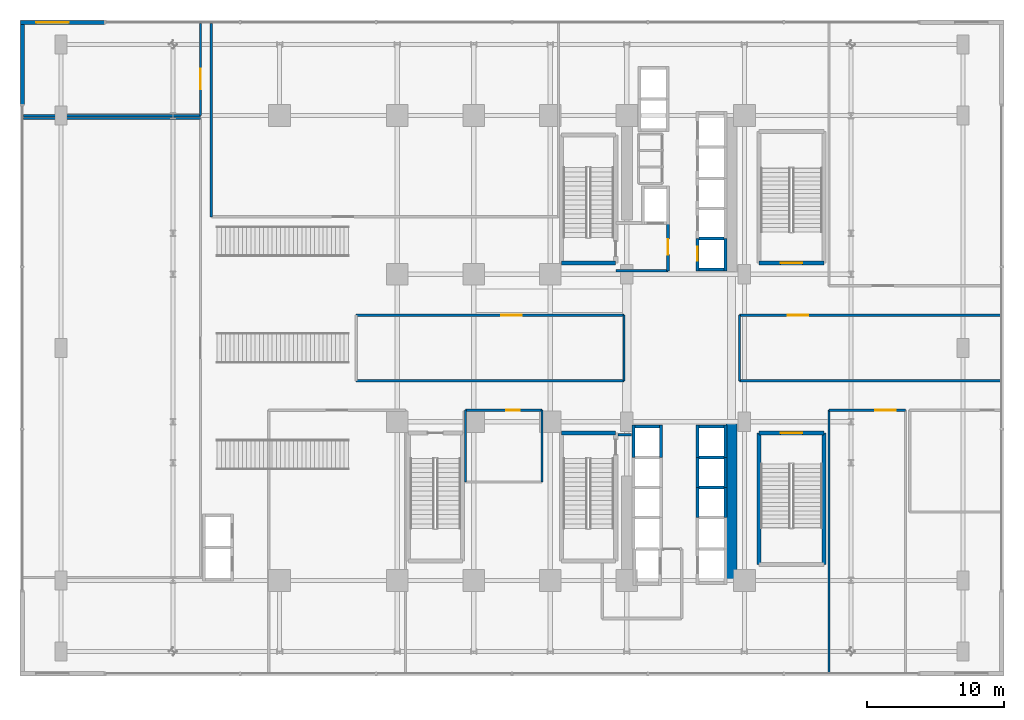
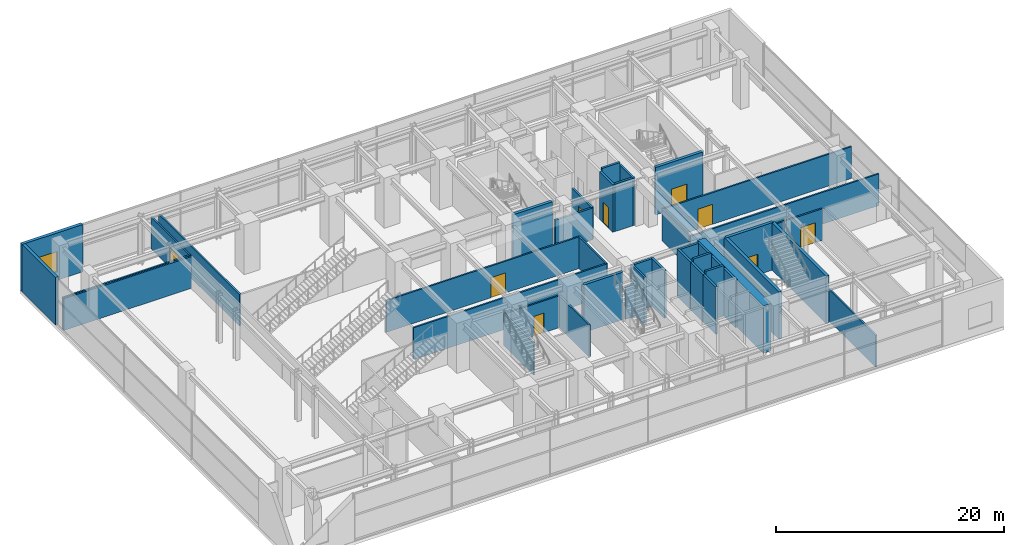
# One storey, part 28 of 34: 43 walls, 9 doors, 1 window, 10 openings.
"""IFC4 building model written with IfcOpenShell, lengths in metres."""

import ifcopenshell
import ifcopenshell.guid

model = None  # the IFC model being written
_history = None  # IfcOwnerHistory: only IFC2X3 demands one
_inside = {}  # id of a spatial element -> (the spatial element, [elements in it])
_under = {}  # id of a project, library or spatial element -> (it, [spatial elements below it])
_declared = {}  # id of a project -> (the project, [libraries it declares])
_typed = {}  # id of a type object -> (the type object, [elements of that type])
_made_of = {}  # id of a material, layer set ... -> (it, [elements and type objects made of it])


def new_model(schema):
    """Start an empty IFC model of exactly this schema.

    Asked for "IFC4X3", IfcOpenShell would pick the latest addendum, in which some entities
    have other attributes; the version numbers below select the first issue.
    IFC2X3 requires an IfcOwnerHistory on every rooted entity: one is made here for all.
    """
    global model, _history
    if schema == "IFC4X3":
        model = ifcopenshell.file(schema_version=(4, 3, 0, 0))
    else:
        model = ifcopenshell.file(schema=schema)
    _inside.clear()
    _under.clear()
    _declared.clear()
    _typed.clear()
    _made_of.clear()
    _history = None
    if model.schema == "IFC2X3":
        org = make("IfcOrganization", Name="unknown")
        user = make(
            "IfcPersonAndOrganization",
            ThePerson=make("IfcPerson", FamilyName="unknown"),
            TheOrganization=org,
        )
        app = make(
            "IfcApplication",
            ApplicationDeveloper=org,
            Version="unknown",
            ApplicationFullName="unknown",
            ApplicationIdentifier="unknown",
        )
        _history = make(
            "IfcOwnerHistory",
            OwningUser=user,
            OwningApplication=app,
            ChangeAction="ADDED",
            CreationDate=0,
        )
    return model


def make(cls, **values):
    """One entity of the class cls with the attributes given. An attribute that is None is left unset."""
    return model.create_entity(
        cls, **{name: value for name, value in values.items() if value is not None}
    )


def rooted(cls, **values):
    """An entity with a GlobalId (a new one), such as an element, a storey or a relation."""
    return make(cls, GlobalId=ifcopenshell.guid.new(), OwnerHistory=_history, **values)


def si_unit(unit_type, name, prefix=None):
    """IfcSIUnit, for example si_unit("LENGTHUNIT", "METRE", prefix="MILLI")."""
    return make("IfcSIUnit", UnitType=unit_type, Prefix=prefix, Name=name)


def assignment(units):
    """IfcUnitAssignment: the units of a project."""
    return None if units is None else make("IfcUnitAssignment", Units=units)


def point(xyz):
    """IfcCartesianPoint."""
    return None if xyz is None else make("IfcCartesianPoint", Coordinates=xyz)


def direction(xyz):
    """IfcDirection."""
    return None if xyz is None else make("IfcDirection", DirectionRatios=xyz)


def frame(location, z_axis=None, x_axis=None):
    """IfcAxis2Placement3D, a coordinate frame: its origin and axes. An axis left out is left unset."""
    return make(
        "IfcAxis2Placement3D",
        Location=point(location),
        Axis=direction(z_axis),
        RefDirection=direction(x_axis),
    )


def frame_2d(location, x_axis=None):
    """IfcAxis2Placement2D, a coordinate frame in the plane: its origin and x axis."""
    return make(
        "IfcAxis2Placement2D", Location=point(location), RefDirection=direction(x_axis)
    )


def origin():
    """The frame at (0, 0, 0) with its axes left unset."""
    return frame((0.0, 0.0, 0.0))


def place(relative_to, where):
    """IfcLocalPlacement: puts the frame where relative to a parent placement (None: the world)."""
    return make(
        "IfcLocalPlacement", PlacementRelTo=relative_to, RelativePlacement=where
    )


def context(
    kind, dimensions, precision=None, world=None, true_north=None, identifier=None
):
    """IfcGeometricRepresentationContext, for example the 3D "Model" context."""
    return make(
        "IfcGeometricRepresentationContext",
        ContextIdentifier=identifier,
        ContextType=kind,
        CoordinateSpaceDimension=dimensions,
        Precision=precision,
        WorldCoordinateSystem=world,
        TrueNorth=true_north,
    )


def subcontext(parent, identifier, kind, view, scale=None):
    """IfcGeometricRepresentationSubContext, for example "Body" below "Model"."""
    return make(
        "IfcGeometricRepresentationSubContext",
        ContextIdentifier=identifier,
        ContextType=kind,
        ParentContext=parent,
        TargetScale=scale,
        TargetView=view,
    )


def project(units=None, contexts=None):
    """IfcProject with its units and contexts."""
    return rooted(
        "IfcProject",
        Name="project",
        RepresentationContexts=contexts,
        UnitsInContext=assignment(units),
    )


def spatial(cls, under=None, at=None, **own):
    """A site, building, storey or space (cls), placed at a placement, below another one or the project."""
    s = rooted(cls, ObjectPlacement=at, **own)
    if under is not None:
        _under.setdefault(under.id(), (under, []))[1].append(s)
    return s


def profile(cls, at=None, kind="AREA", **sizes):
    """A parametric profile (cls). Its sizes go by their IFC names, for example OverallWidth=200.0."""
    return make(cls, ProfileType=kind, Position=at, **sizes)


def rectangle(**sizes):
    """IfcRectangleProfileDef."""
    return profile("IfcRectangleProfileDef", **sizes)


def extrude(swept, where, along, depth):
    """IfcExtrudedAreaSolid: the profile swept, set in the frame where, extruded along a direction by depth."""
    return make(
        "IfcExtrudedAreaSolid",
        SweptArea=swept,
        Position=where,
        ExtrudedDirection=direction(along),
        Depth=depth,
    )


def shape(context_of_items, identifier, shape_type, items):
    """IfcShapeRepresentation: the items that make up one representation, for example the "Body"."""
    return make(
        "IfcShapeRepresentation",
        ContextOfItems=context_of_items,
        RepresentationIdentifier=identifier,
        RepresentationType=shape_type,
        Items=items,
    )


def source(mapping_origin, context_of_items, identifier, shape_type, items):
    """IfcRepresentationMap: a shape defined once, which mapped items show again and again."""
    return make(
        "IfcRepresentationMap",
        MappingOrigin=mapping_origin,
        MappedRepresentation=shape(context_of_items, identifier, shape_type, items),
    )


def transform(
    local_origin,
    x_axis=None,
    y_axis=None,
    z_axis=None,
    scale=None,
    scale2=None,
    scale3=None,
    uniform=True,
):
    """IfcCartesianTransformationOperator3D, or its non-uniform kind. x_axis, y_axis, z_axis: its Axis1, 2, 3."""
    if uniform:
        return make(
            "IfcCartesianTransformationOperator3D",
            Axis1=direction(x_axis),
            Axis2=direction(y_axis),
            LocalOrigin=point(local_origin),
            Scale=scale,
            Axis3=direction(z_axis),
        )
    return make(
        "IfcCartesianTransformationOperator3DnonUniform",
        Axis1=direction(x_axis),
        Axis2=direction(y_axis),
        LocalOrigin=point(local_origin),
        Scale=scale,
        Axis3=direction(z_axis),
        Scale2=scale2,
        Scale3=scale3,
    )


def mapped(mapping_source, mapping_target):
    """IfcMappedItem: shows the shape of a source again, moved by a transform."""
    return make(
        "IfcMappedItem", MappingSource=mapping_source, MappingTarget=mapping_target
    )


def material(Name=None, Category=None):
    """IfcMaterial."""
    return make("IfcMaterial", Name=Name, Category=Category)


def layer(
    of_material, thickness, ventilated=None, Name=None, Category=None, Priority=None
):
    """IfcMaterialLayer: one layer of a wall or slab, of a material (None: an air gap)."""
    return make(
        "IfcMaterialLayer",
        Material=of_material,
        LayerThickness=thickness,
        IsVentilated=ventilated,
        Name=Name,
        Category=Category,
        Priority=Priority,
    )


def layer_set(layers, Name=None):
    """IfcMaterialLayerSet."""
    return make("IfcMaterialLayerSet", MaterialLayers=layers, LayerSetName=Name)


def made_of(thing, what):
    """Note that an element or type object is made of a material, layer set ...; save() writes the relation."""
    if what is not None:
        _made_of.setdefault(what.id(), (what, []))[1].append(thing)
    return thing


def type_object(cls, material=None, **own):
    """A type object (cls), such as IfcWallType, which elements share."""
    return made_of(rooted(cls, **own), material)


def element(
    cls,
    number,
    at=None,
    inside=None,
    cuts=None,
    type_object=None,
    material=None,
    context=None,
    identifier="Body",
    shape_type=None,
    held_by="IfcProductDefinitionShape",
    body=None,
    shapes=None,
    **own,
):
    """One element of the class cls, such as IfcWall. Its Tag is "e" and its number.

    at: its placement. inside: the storey or other place that contains it. cuts: it is an
    opening in that element (IfcRelVoidsElement). A single representation is given by context,
    identifier, shape_type and body (its items); several are given by shapes. held_by: the class
    of the entity that holds the representations. save() writes the other relations.
    """
    e = rooted(cls, Tag="e%d" % number, ObjectPlacement=at, **own)
    if body is not None:
        shapes = [shape(context, identifier, shape_type, body)]
    if shapes is not None:
        e.Representation = make(held_by, Representations=shapes)
    if inside is not None:
        _inside.setdefault(inside.id(), (inside, []))[1].append(e)
    if cuts is not None:
        rooted(
            "IfcRelVoidsElement", RelatingBuildingElement=cuts, RelatedOpeningElement=e
        )
    if type_object is not None:
        _typed.setdefault(type_object.id(), (type_object, []))[1].append(e)
    return made_of(e, material)


def fill(opening, filler):
    """IfcRelFillsElement: the door or window that sits in an opening."""
    return rooted(
        "IfcRelFillsElement",
        RelatingOpeningElement=opening,
        RelatedBuildingElement=filler,
    )


def aggregate(whole, parts):
    """IfcRelAggregates: a whole, such as a stair, and the parts it consists of."""
    return rooted("IfcRelAggregates", RelatingObject=whole, RelatedObjects=parts)


def save(model, path):
    """Write the relations noted so far, then the file.

    IfcRelAggregates (storeys below a building ...), IfcRelContainedInSpatialStructure (elements
    in a storey), IfcRelDefinesByType, IfcRelAssociatesMaterial and IfcRelDeclares: one each for
    every whole, place, type object, material and project.
    """
    for whole, parts in _under.values():
        aggregate(whole, parts)
    for where, things in _inside.values():
        rooted(
            "IfcRelContainedInSpatialStructure",
            RelatedElements=things,
            RelatingStructure=where,
        )
    for kind, things in _typed.values():
        rooted("IfcRelDefinesByType", RelatedObjects=things, RelatingType=kind)
    for what, things in _made_of.values():
        rooted("IfcRelAssociatesMaterial", RelatedObjects=things, RelatingMaterial=what)
    for by, libraries in _declared.values():
        rooted("IfcRelDeclares", RelatingContext=by, RelatedDefinitions=libraries)
    model.write(path)


model = new_model("IFC4")

# Units and contexts
model_context = context("Model", 3, precision=1e-05, world=origin(), true_north=direction((0.0, 1.0)))
body_context = subcontext(model_context, "Body", "Model", "MODEL_VIEW")
ifc_project = project(units=[si_unit("LENGTHUNIT", "METRE"), si_unit("AREAUNIT", "SQUARE_METRE"), si_unit("VOLUMEUNIT", "CUBIC_METRE"), si_unit("PLANEANGLEUNIT", "RADIAN"), si_unit("MASSUNIT", "GRAM", prefix="KILO")], contexts=[model_context])

# Site, building, storey
site_placement = place(None, origin())
site = spatial("IfcSite", under=ifc_project, at=site_placement, CompositionType="ELEMENT")
building_placement = place(site_placement, origin())
building = spatial("IfcBuilding", under=site, at=building_placement, Name="Nahalor Promenade Grand Hotel", CompositionType="ELEMENT")
storey_placement = place(building_placement, frame((0.0, 0.0, 16.199951171875)))
storey = spatial("IfcBuildingStorey", under=building, at=storey_placement, Name="L03", CompositionType="ELEMENT", Elevation=16.199951171875)

# Walls
ifc_material_1 = material(Name="Concrete B-70 (C60/75)", Category="concrete")
ifc_layer_1 = layer(ifc_material_1, 0.800048828125)
ifc_layer_set_1 = layer_set([ifc_layer_1], Name="Concrete B-70 (C60/75)")
wall_type_1 = type_object("IfcWallType", Name="Wall-CoreShear-800", PredefinedType="SHEAR", material=ifc_layer_set_1)
shared_shape_1 = source(origin(), body_context, "Body", "SweptSolid", [
    extrude(rectangle(XDim=11.60009765625, YDim=0.800048828125, at=frame_2d((5.800048828125, 0.0))), origin(), (0.0, 0.0, 1.0), 5.080078125),
])
wall_1_placement = place(storey_placement, frame((16.050048828125, -17.0, 0.0), z_axis=(0.0, 0.0, 1.0), x_axis=(0.0, 1.0, 0.0)))
element("IfcWall", 1, at=wall_1_placement, inside=storey, type_object=wall_type_1, Name="CWALL-L03-SE", PredefinedType="SHEAR", context=body_context, shape_type="MappedRepresentation", body=[
    mapped(shared_shape_1, transform((0.0, 0.0, 0.0), scale=1.0)),
])
ifc_material_2 = material(Name="Concrete B-50 (C40/50)", Category="concrete")
ifc_layer_2 = layer(ifc_material_2, 0.300048828125)
ifc_layer_set_2 = layer_set([ifc_layer_2], Name="Concrete B-50 (C40/50)")
wall_type_2 = type_object("IfcWallType", Name="Wall-ShaftShear-300", PredefinedType="SHEAR", material=ifc_layer_set_2)
shared_shape_2 = source(origin(), body_context, "Body", "SweptSolid", [
    extrude(rectangle(XDim=3.97998046875, YDim=0.300048828125, at=frame_2d((1.989990234375, 0.0))), origin(), (0.0, 0.0, 1.0), 5.080078125),
])
for number, where, z_axis, x_axis, name in (
    (2, (3.610107421875, 6.2099609375, 0.0), (0.0, 0.0, 1.0), (1.0, 0.0, 0.0), "L03 Exit Stair ST1 Shaft Wall S"),
    (3, (3.610107421875, -6.2099609375, 0.0), (0.0, 0.0, 1.0), (1.0, 0.0, 0.0), "L03 Exit Stair ST2 Shaft Wall N"),
):
    element("IfcWall", number, at=place(storey_placement, frame(where, z_axis=z_axis, x_axis=x_axis)), inside=storey, type_object=wall_type_2, Name=name, PredefinedType="SHEAR", context=body_context, shape_type="MappedRepresentation", body=[
        mapped(shared_shape_2, transform((0.0, 0.0, 0.0), scale=1.0)),
    ])

# Wall, opening, door
shared_shape_3 = source(origin(), body_context, "Body", "SweptSolid", [
    extrude(rectangle(XDim=4.780029296875, YDim=0.300048828125, at=frame_2d((2.39013671875, 0.0))), origin(), (0.0, 0.0, 1.0), 5.080078125),
])
wall_2_placement = place(storey_placement, frame((18.06005859375, 6.2099609375, 0.0), z_axis=(0.0, 0.0, 1.0), x_axis=(1.0, 0.0, 0.0)))
wall_2 = element("IfcWall", 4, at=wall_2_placement, inside=storey, type_object=wall_type_2, Name="L03 Exit Stair ST4 Shaft Wall S", PredefinedType="SHEAR", context=body_context, shape_type="MappedRepresentation", body=[
    mapped(shared_shape_3, transform((0.0, 0.0, 0.0), scale=1.0)),
])
opening_1_placement = place(wall_2_placement, frame((1.590087890625, 0.0, 0.0)))
opening_1 = element("IfcOpeningElement", 5, at=opening_1_placement, cuts=wall_2, Name="Opening D-ST2", PredefinedType="OPENING", context=body_context, shape_type="SweptSolid", body=[
    extrude(rectangle(XDim=1.60009765625, YDim=2.199951171875, at=frame_2d((0.800048828125, 1.10009765625))), frame((0.0, 0.159912109375, 0.0), z_axis=(0.0, -1.0, 0.0), x_axis=(1.0, 0.0, 0.0)), (0.0, 0.0, 1.0), 0.320068359375),
])
ifc_material_3 = material(Name="Steel S355JR", Category="steel")
door_type_1 = type_object("IfcDoorType", Name="Door-StairGrand-1600", OperationType="DOUBLE_DOOR_SINGLE_SWING", PredefinedType="DOOR", material=ifc_material_3)
shared_shape_4 = source(origin(), body_context, "Body", "SweptSolid", [
    extrude(rectangle(XDim=1.60009765625, YDim=2.199951171875, at=frame_2d((0.800048828125, 1.10009765625))), frame((0.0, 0.02490234375, 0.0), z_axis=(0.0, -1.0, 0.0), x_axis=(1.0, 0.0, 0.0)), (0.0, 0.0, 1.0), 0.050048828125),
])
door_1_placement = place(opening_1_placement, origin())
door_1 = element("IfcDoor", 6, at=door_1_placement, inside=storey, type_object=door_type_1, Name="DR-STAIR-ST4-L03", OperationType="DOUBLE_DOOR_SINGLE_SWING", OverallHeight=2.199951171875, OverallWidth=1.60009765625, PredefinedType="DOOR", context=body_context, shape_type="MappedRepresentation", body=[
    mapped(shared_shape_4, transform((0.0, 0.0, 0.0), scale=1.0)),
])
fill(opening_1, door_1)

wall_3_placement = place(storey_placement, frame((18.06005859375, -6.2099609375, 0.0), z_axis=(0.0, 0.0, 1.0), x_axis=(1.0, 0.0, 0.0)))
wall_3 = element("IfcWall", 7, at=wall_3_placement, inside=storey, type_object=wall_type_2, Name="L03 Exit Stair ST5 Shaft Wall N", PredefinedType="SHEAR", context=body_context, shape_type="MappedRepresentation", body=[
    mapped(shared_shape_3, transform((0.0, 0.0, 0.0), scale=1.0)),
])
opening_2_placement = place(wall_3_placement, frame((1.590087890625, 0.0, 0.0)))
opening_2 = element("IfcOpeningElement", 8, at=opening_2_placement, cuts=wall_3, Name="Opening D-ST2", PredefinedType="OPENING", context=body_context, shape_type="SweptSolid", body=[
    extrude(rectangle(XDim=1.60009765625, YDim=2.199951171875, at=frame_2d((0.800048828125, 1.10009765625))), frame((0.0, 0.159912109375, 0.0), z_axis=(0.0, -1.0, 0.0), x_axis=(1.0, 0.0, 0.0)), (0.0, 0.0, 1.0), 0.320068359375),
])
door_2_placement = place(opening_2_placement, frame((1.60009765625, 0.0, 0.0), z_axis=(0.0, 0.0, 1.0), x_axis=(-1.0, 0.0, 0.0)))
door_2 = element("IfcDoor", 9, at=door_2_placement, inside=storey, type_object=door_type_1, Name="DR-STAIR-ST5-L03", OperationType="DOUBLE_DOOR_SINGLE_SWING", OverallHeight=2.199951171875, OverallWidth=1.60009765625, PredefinedType="DOOR", context=body_context, shape_type="MappedRepresentation", body=[
    mapped(shared_shape_4, transform((0.0, 0.0, 0.0), scale=1.0)),
])
fill(opening_2, door_2)

# Walls
shared_shape_5 = source(origin(), body_context, "Body", "SweptSolid", [
    extrude(rectangle(XDim=9.630126953125, YDim=0.300048828125, at=frame_2d((4.81494140625, 0.0))), origin(), (0.0, 0.0, 1.0), 5.080078125),
])
for number, where, z_axis, x_axis, name in (
    (10, (18.06005859375, -15.840087890625, 0.0), (0.0, 0.0, 1.0), (0.0, 1.0, 0.0), "L03 Exit Stair ST5 Shaft Wall W"),
    (11, (22.840087890625, -15.840087890625, 0.0), (0.0, 0.0, 1.0), (0.0, 1.0, 0.0), "L03 Exit Stair ST5 Shaft Wall E"),
):
    element("IfcWall", number, at=place(storey_placement, frame(where, z_axis=z_axis, x_axis=x_axis)), inside=storey, type_object=wall_type_2, Name=name, PredefinedType="SHEAR", context=body_context, shape_type="MappedRepresentation", body=[
        mapped(shared_shape_5, transform((0.0, 0.0, 0.0), scale=1.0)),
    ])

# Wall, opening, door
ifc_layer_3 = layer(ifc_material_2, 0.219970703125)
ifc_layer_set_3 = layer_set([ifc_layer_3], Name="Concrete B-50 (C40/50)")
wall_type_3 = type_object("IfcWallType", Name="Wall-LiftShaft-220", PredefinedType="SHEAR", material=ifc_layer_set_3)
shared_shape_6 = source(origin(), body_context, "Body", "SweptSolid", [
    extrude(rectangle(XDim=2.360107421875, YDim=0.219970703125, at=frame_2d((1.18017578125, 0.0))), origin(), (0.0, 0.0, 1.0), 5.080078125),
])
wall_4_placement = place(storey_placement, frame((13.580078125, 5.639892578125, 0.0), z_axis=(0.0, 0.0, 1.0), x_axis=(0.0, 1.0, 0.0)))
wall_4 = element("IfcWall", 12, at=wall_4_placement, inside=storey, type_object=wall_type_3, Name="L03 Lift PL1 Hoistway Wall W", PredefinedType="SHEAR", context=body_context, shape_type="MappedRepresentation", body=[
    mapped(shared_shape_6, transform((0.0, 0.0, 0.0), scale=1.0)),
])
opening_3_placement = place(wall_4_placement, frame((0.760009765625, 0.0, 0.0)))
opening_3 = element("IfcOpeningElement", 13, at=opening_3_placement, cuts=wall_4, Name="Opening LD-01", PredefinedType="OPENING", context=body_context, shape_type="SweptSolid", body=[
    extrude(rectangle(XDim=1.0, YDim=2.199951171875, at=frame_2d((0.5, 1.10009765625))), frame((0.0, 0.119873046875, 0.0), z_axis=(0.0, -1.0, 0.0), x_axis=(1.0, 0.0, 0.0)), (0.0, 0.0, 1.0), 0.239990234375),
])
door_type_2 = type_object("IfcDoorType", Name="Door-LiftLanding-1000", OperationType="DOUBLE_DOOR_SLIDING", PredefinedType="DOOR", material=ifc_material_3)
shared_shape_7 = source(origin(), body_context, "Body", "SweptSolid", [
    extrude(rectangle(XDim=1.0, YDim=2.199951171875, at=frame_2d((0.5, 1.10009765625))), frame((0.0, 0.02490234375, 0.0), z_axis=(0.0, -1.0, 0.0), x_axis=(1.0, 0.0, 0.0)), (0.0, 0.0, 1.0), 0.050048828125),
])
door_3_placement = place(opening_3_placement, origin())
door_3 = element("IfcDoor", 14, at=door_3_placement, inside=storey, type_object=door_type_2, Name="DR-LIFT-PL1-L03", OperationType="DOUBLE_DOOR_SLIDING", OverallHeight=2.199951171875, OverallWidth=1.0, PredefinedType="DOOR", context=body_context, shape_type="MappedRepresentation", body=[
    mapped(shared_shape_7, transform((0.0, 0.0, 0.0), scale=1.0)),
])
fill(opening_3, door_3)

# Walls
for number, where, z_axis, x_axis, name in (
    (15, (15.6201171875, 5.639892578125, 0.0), (0.0, 0.0, 1.0), (0.0, 1.0, 0.0), "L03 Lift PL1 Hoistway Wall E"),
    (16, (13.580078125, -8.0, 0.0), (0.0, 0.0, 1.0), (0.0, 1.0, 0.0), "L03 Lift PL5 Hoistway Wall W"),
    (17, (15.6201171875, -8.0, 0.0), (0.0, 0.0, 1.0), (0.0, 1.0, 0.0), "L03 Lift PL5 Hoistway Wall E"),
    (18, (8.8798828125, -8.0, 0.0), (0.0, 0.0, 1.0), (0.0, 1.0, 0.0), "L03 Lift PL9 Hoistway Wall W"),
    (19, (10.919921875, -8.0, 0.0), (0.0, 0.0, 1.0), (0.0, 1.0, 0.0), "L03 Lift PL9 Hoistway Wall E"),
):
    element("IfcWall", number, at=place(storey_placement, frame(where, z_axis=z_axis, x_axis=x_axis)), inside=storey, type_object=wall_type_3, Name=name, PredefinedType="SHEAR", context=body_context, shape_type="MappedRepresentation", body=[
        mapped(shared_shape_6, transform((0.0, 0.0, 0.0), scale=1.0)),
    ])
shared_shape_8 = source(origin(), body_context, "Body", "SweptSolid", [
    extrude(rectangle(XDim=1.820068359375, YDim=0.219970703125, at=frame_2d((0.91015625, 0.0))), origin(), (0.0, 0.0, 1.0), 5.080078125),
])
for number, where, z_axis, x_axis, name in (
    (20, (13.68994140625, 5.75, 0.0), (0.0, 0.0, 1.0), (1.0, 0.0, 0.0), "L03 Lift PL1 Hoistway Wall S"),
    (21, (13.68994140625, -5.75, 0.0), (0.0, 0.0, 1.0), (1.0, 0.0, 0.0), "L03 Lift PL5 Hoistway Wall N"),
    (22, (8.989990234375, -5.75, 0.0), (0.0, 0.0, 1.0), (1.0, 0.0, 0.0), "L03 Lift PL9 Hoistway Wall N"),
):
    element("IfcWall", number, at=place(storey_placement, frame(where, z_axis=z_axis, x_axis=x_axis)), inside=storey, type_object=wall_type_3, Name=name, PredefinedType="SHEAR", context=body_context, shape_type="MappedRepresentation", body=[
        mapped(shared_shape_8, transform((0.0, 0.0, 0.0), scale=1.0)),
    ])
shared_shape_9 = source(origin(), body_context, "Body", "SweptSolid", [
    extrude(rectangle(XDim=1.820068359375, YDim=0.219970703125, at=frame_2d((0.91015625, 0.0))), origin(), (0.0, 0.0, 1.0), 5.400146484375),
])
for number, where, z_axis, x_axis, name in (
    (23, (13.68994140625, 8.0, 0.0), (0.0, 0.0, 1.0), (1.0, 0.0, 0.0), "L03 Lift PL1 Hoistway Wall N"),
    (24, (13.68994140625, -8.0, 0.0), (0.0, 0.0, 1.0), (1.0, 0.0, 0.0), "L03 Lift PL6 Hoistway Wall N"),
    (25, (13.68994140625, -10.199951171875, 0.0), (0.0, 0.0, 1.0), (1.0, 0.0, 0.0), "L03 Lift PL7 Hoistway Wall N"),
):
    element("IfcWall", number, at=place(storey_placement, frame(where, z_axis=z_axis, x_axis=x_axis)), inside=storey, type_object=wall_type_3, Name=name, PredefinedType="SHEAR", context=body_context, shape_type="MappedRepresentation", body=[
        mapped(shared_shape_9, transform((0.0, 0.0, 0.0), scale=1.0)),
    ])
shared_shape_10 = source(origin(), body_context, "Body", "SweptSolid", [
    extrude(rectangle(XDim=2.199951171875, YDim=0.219970703125, at=frame_2d((1.10009765625, 0.0))), origin(), (0.0, 0.0, 1.0), 5.080078125),
])
for number, where, z_axis, x_axis, name in (
    (26, (13.580078125, -10.199951171875, 0.0), (0.0, 0.0, 1.0), (0.0, 1.0, 0.0), "L03 Lift PL6 Hoistway Wall W"),
    (27, (15.6201171875, -10.199951171875, 0.0), (0.0, 0.0, 1.0), (0.0, 1.0, 0.0), "L03 Lift PL6 Hoistway Wall E"),
    (28, (13.580078125, -12.39990234375, 0.0), (0.0, 0.0, 1.0), (0.0, 1.0, 0.0), "L03 Lift PL7 Hoistway Wall W"),
    (29, (15.6201171875, -12.39990234375, 0.0), (0.0, 0.0, 1.0), (0.0, 1.0, 0.0), "L03 Lift PL7 Hoistway Wall E"),
):
    element("IfcWall", number, at=place(storey_placement, frame(where, z_axis=z_axis, x_axis=x_axis)), inside=storey, type_object=wall_type_3, Name=name, PredefinedType="SHEAR", context=body_context, shape_type="MappedRepresentation", body=[
        mapped(shared_shape_10, transform((0.0, 0.0, 0.0), scale=1.0)),
    ])

# Wall, opening, window
ifc_material_4 = material(Name="Concrete B-40 (C32/40)", Category="concrete")
ifc_layer_4 = layer(ifc_material_4, 0.320068359375)
ifc_layer_set_4 = layer_set([ifc_layer_4], Name="Concrete B-40 (C32/40)")
wall_type_4 = type_object("IfcWallType", Name="Wall-LimestonePier-320", PredefinedType="STANDARD", material=ifc_layer_set_4)
shared_shape_11 = source(origin(), body_context, "Body", "SweptSolid", [
    extrude(rectangle(XDim=6.159912109375, YDim=0.320068359375, at=frame_2d((3.080078125, 0.0))), origin(), (0.0, 0.0, 1.0), 5.080078125),
])
wall_5_placement = place(storey_placement, frame((-35.97998046875, 23.820068359375, 0.0), z_axis=(0.0, 0.0, 1.0), x_axis=(1.0, 0.0, 0.0)))
wall_5 = element("IfcWall", 30, at=wall_5_placement, inside=storey, type_object=wall_type_4, Name="W-L03-CRN-NW-X", PredefinedType="STANDARD", context=body_context, shape_type="MappedRepresentation", body=[
    mapped(shared_shape_11, transform((0.0, 0.0, 0.0), scale=1.0)),
])
opening_4_placement = place(wall_5_placement, frame((1.159912109375, 0.0, 0.89990234375)))
opening_4 = element("IfcOpeningElement", 31, at=opening_4_placement, cuts=wall_5, Name="Opening WN-02", PredefinedType="OPENING", context=body_context, shape_type="SweptSolid", body=[
    extrude(rectangle(XDim=2.39990234375, YDim=2.199951171875, at=frame_2d((1.199951171875, 1.10009765625))), frame((0.0, 0.169921875, 0.0), z_axis=(0.0, -1.0, 0.0), x_axis=(1.0, 0.0, 0.0)), (0.0, 0.0, 1.0), 0.340087890625),
])
ifc_material_5 = material(Name="Low-E Laminated Solar Glass", Category="glass")
window_type = type_object("IfcWindowType", Name="Win-PodiumArch-2400x2200", PartitioningType="SINGLE_PANEL", PredefinedType="WINDOW", material=ifc_material_5)
shared_shape_12 = source(origin(), body_context, "Body", "SweptSolid", [
    extrude(rectangle(XDim=2.39990234375, YDim=2.199951171875, at=frame_2d((1.199951171875, 1.10009765625))), frame((0.0, 0.030029296875, 0.0), z_axis=(0.0, -1.0, 0.0), x_axis=(1.0, 0.0, 0.0)), (0.0, 0.0, 1.0), 0.06005859375),
])
window_placement = place(opening_4_placement, origin())
window = element("IfcWindow", 32, at=window_placement, inside=storey, type_object=window_type, Name="WN-L03-NW-X", OverallHeight=2.199951171875, OverallWidth=2.39990234375, PartitioningType="SINGLE_PANEL", PredefinedType="WINDOW", context=body_context, shape_type="MappedRepresentation", body=[
    mapped(shared_shape_12, transform((0.0, 0.0, 0.0), scale=1.0)),
])
fill(opening_4, window)

# Walls
shared_shape_13 = source(origin(), body_context, "Body", "SweptSolid", [
    extrude(rectangle(XDim=5.83984375, YDim=0.320068359375, at=frame_2d((2.919921875, 0.0))), origin(), (0.0, 0.0, 1.0), 5.080078125),
])
wall_6_placement = place(storey_placement, frame((-35.820068359375, 17.820068359375, 0.0), z_axis=(0.0, 0.0, 1.0), x_axis=(0.0, 1.0, 0.0)))
element("IfcWall", 33, at=wall_6_placement, inside=storey, type_object=wall_type_4, Name="W-L03-CRN-NW-Y", PredefinedType="STANDARD", context=body_context, shape_type="MappedRepresentation", body=[
    mapped(shared_shape_13, transform((0.0, 0.0, 0.0), scale=1.0)),
])
ifc_layer_5 = layer(ifc_material_4, 0.199951171875)
ifc_layer_set_5 = layer_set([ifc_layer_5], Name="Concrete B-40 (C32/40)")
wall_type_5 = type_object("IfcWallType", Name="Wall-PartFire-200", PredefinedType="PARTITIONING", material=ifc_layer_set_5)
shared_shape_14 = source(origin(), body_context, "Body", "SweptSolid", [
    extrude(rectangle(XDim=3.81982421875, YDim=0.199951171875, at=frame_2d((1.909912109375, 0.0))), origin(), (0.0, 0.0, 1.0), 3.400146484375),
])
wall_7_placement = place(storey_placement, frame((7.60009765625, 5.64990234375, 0.0), z_axis=(0.0, 0.0, 1.0), x_axis=(1.0, 0.0, 0.0)))
element("IfcWall", 34, at=wall_7_placement, inside=storey, type_object=wall_type_5, Name="W-L03-FF1-S", PredefinedType="PARTITIONING", context=body_context, shape_type="MappedRepresentation", body=[
    mapped(shared_shape_14, transform((0.0, 0.0, 0.0), scale=1.0)),
])

# Wall, opening, door
shared_shape_15 = source(origin(), body_context, "Body", "SweptSolid", [
    extrude(rectangle(XDim=3.5, YDim=0.199951171875, at=frame_2d((1.75, 0.0))), origin(), (0.0, 0.0, 1.0), 3.400146484375),
])
wall_8_placement = place(storey_placement, frame((11.419921875, 5.64990234375, 0.0), z_axis=(0.0, 0.0, 1.0), x_axis=(0.0, 1.0, 0.0)))
wall_8 = element("IfcWall", 35, at=wall_8_placement, inside=storey, type_object=wall_type_5, Name="W-L03-FF1-E", PredefinedType="PARTITIONING", context=body_context, shape_type="MappedRepresentation", body=[
    mapped(shared_shape_15, transform((0.0, 0.0, 0.0), scale=1.0)),
])
opening_5_placement = place(wall_8_placement, frame((1.175048828125, 0.0, 0.0)))
opening_5 = element("IfcOpeningElement", 36, at=opening_5_placement, cuts=wall_8, Name="Opening D-FF1", PredefinedType="OPENING", context=body_context, shape_type="SweptSolid", body=[
    extrude(rectangle(XDim=1.14990234375, YDim=2.14990234375, at=frame_2d((0.574951171875, 1.074951171875))), frame((0.0, 0.10986328125, 0.0), z_axis=(0.0, -1.0, 0.0), x_axis=(1.0, 0.0, 0.0)), (0.0, 0.0, 1.0), 0.219970703125),
])
door_type_3 = type_object("IfcDoorType", Name="Door-FFLobby-1150", OperationType="NOTDEFINED", PredefinedType="DOOR", material=ifc_material_3)
shared_shape_16 = source(origin(), body_context, "Body", "SweptSolid", [
    extrude(rectangle(XDim=1.14990234375, YDim=2.14990234375, at=frame_2d((0.574951171875, 1.074951171875))), frame((0.0, 0.02490234375, 0.0), z_axis=(0.0, -1.0, 0.0), x_axis=(1.0, 0.0, 0.0)), (0.0, 0.0, 1.0), 0.050048828125),
])
door_4_placement = place(opening_5_placement, frame((1.14990234375, 0.0, 0.0), z_axis=(0.0, 0.0, 1.0), x_axis=(-1.0, 0.0, 0.0)))
door_4 = element("IfcDoor", 37, at=door_4_placement, inside=storey, type_object=door_type_3, Name="DR-L03-FFL1", OperationType="SINGLE_SWING_RIGHT", OverallHeight=2.14990234375, OverallWidth=1.14990234375, PredefinedType="DOOR", context=body_context, shape_type="MappedRepresentation", body=[
    mapped(shared_shape_16, transform((0.0, 0.0, 0.0), scale=1.0)),
])
fill(opening_5, door_4)

# Walls
shared_shape_17 = source(origin(), body_context, "Body", "SweptSolid", [
    extrude(rectangle(XDim=0.969970703125, YDim=0.199951171875, at=frame_2d((0.48486328125, 0.0))), origin(), (0.0, 0.0, 1.0), 3.400146484375),
])
wall_9_placement = place(storey_placement, frame((7.77001953125, -6.35009765625, 0.0), z_axis=(0.0, 0.0, 1.0), x_axis=(1.0, 0.0, 0.0)))
element("IfcWall", 38, at=wall_9_placement, inside=storey, type_object=wall_type_5, Name="W-L03-FF2-N2", PredefinedType="PARTITIONING", context=body_context, shape_type="MappedRepresentation", body=[
    mapped(shared_shape_17, transform((0.0, 0.0, 0.0), scale=1.0)),
])
ifc_material_6 = material(Name="Acoustic Mineral Gypsum", Category="gypsum")
ifc_layer_6 = layer(ifc_material_6, 0.159912109375)
ifc_layer_set_6 = layer_set([ifc_layer_6], Name="Acoustic Mineral Gypsum")
wall_type_6 = type_object("IfcWallType", Name="Wall-PartCorridor-160", PredefinedType="PARTITIONING", material=ifc_layer_set_6)
shared_shape_18 = source(origin(), body_context, "Body", "SweptSolid", [
    extrude(rectangle(XDim=19.2099609375, YDim=0.159912109375, at=frame_2d((9.60498046875, 0.0))), origin(), (0.0, 0.0, 1.0), 3.400146484375),
])
wall_10_placement = place(storey_placement, frame((23.199951171875, -23.760009765625, 0.0), z_axis=(0.0, 0.0, 1.0), x_axis=(0.0, 1.0, 0.0)))
element("IfcWall", 39, at=wall_10_placement, inside=storey, type_object=wall_type_6, Name="W-L03-PR08-W", PredefinedType="PARTITIONING", context=body_context, shape_type="MappedRepresentation", body=[
    mapped(shared_shape_18, transform((0.0, 0.0, 0.0), scale=1.0)),
])

# Wall, opening, door
shared_shape_19 = source(origin(), body_context, "Body", "SweptSolid", [
    extrude(rectangle(XDim=5.60009765625, YDim=0.159912109375, at=frame_2d((2.800048828125, 0.0))), origin(), (0.0, 0.0, 1.0), 3.400146484375),
])
wall_11_placement = place(storey_placement, frame((23.199951171875, -4.550048828125, 0.0), z_axis=(0.0, 0.0, 1.0), x_axis=(1.0, 0.0, 0.0)))
wall_11 = element("IfcWall", 40, at=wall_11_placement, inside=storey, type_object=wall_type_6, Name="W-L03-PR08-N", PredefinedType="PARTITIONING", context=body_context, shape_type="MappedRepresentation", body=[
    mapped(shared_shape_19, transform((0.0, 0.0, 0.0), scale=1.0)),
])
opening_6_placement = place(wall_11_placement, frame((3.385986328125, 0.0, 0.0)))
opening_6 = element("IfcOpeningElement", 41, at=opening_6_placement, cuts=wall_11, Name="Opening D-02", PredefinedType="OPENING", context=body_context, shape_type="SweptSolid", body=[
    extrude(rectangle(XDim=1.5, YDim=2.14990234375, at=frame_2d((0.75, 1.074951171875))), frame((0.0, 0.08984375, 0.0), z_axis=(0.0, -1.0, 0.0), x_axis=(1.0, 0.0, 0.0)), (0.0, 0.0, 1.0), 0.179931640625),
])
ifc_material_7 = material(Name="Fire-Rated Timber Composite", Category="wood")
door_type_4 = type_object("IfcDoorType", Name="Door-SuiteDouble-1500", OperationType="DOUBLE_DOOR_SINGLE_SWING", PredefinedType="DOOR", material=ifc_material_7)
shared_shape_20 = source(origin(), body_context, "Body", "SweptSolid", [
    extrude(rectangle(XDim=1.5, YDim=2.14990234375, at=frame_2d((0.75, 1.074951171875))), frame((0.0, 0.02490234375, 0.0), z_axis=(0.0, -1.0, 0.0), x_axis=(1.0, 0.0, 0.0)), (0.0, 0.0, 1.0), 0.050048828125),
])
door_5_placement = place(opening_6_placement, frame((1.5, 0.0, 0.0), z_axis=(0.0, 0.0, 1.0), x_axis=(-1.0, 0.0, 0.0)))
door_5 = element("IfcDoor", 42, at=door_5_placement, inside=storey, type_object=door_type_4, Name="DR-L03-PR08", OperationType="DOUBLE_DOOR_SINGLE_SWING", OverallHeight=2.14990234375, OverallWidth=1.5, PredefinedType="DOOR", context=body_context, shape_type="MappedRepresentation", body=[
    mapped(shared_shape_20, transform((0.0, 0.0, 0.0), scale=1.0)),
])
fill(opening_6, door_5)

# Walls
shared_shape_21 = source(origin(), body_context, "Body", "SweptSolid", [
    extrude(rectangle(XDim=4.7998046875, YDim=0.159912109375, at=frame_2d((2.39990234375, 0.0))), origin(), (0.0, 0.0, 1.0), 3.400146484375),
])
for number, where, z_axis, x_axis, name in (
    (43, (8.199951171875, -2.39990234375, 0.0), (0.0, 0.0, 1.0), (0.0, 1.0, 0.0), "W-L03-PR02-E"),
    (44, (16.64990234375, -2.39990234375, 0.0), (0.0, 0.0, 1.0), (0.0, 1.0, 0.0), "W-L03-PR03-W"),
):
    element("IfcWall", number, at=place(storey_placement, frame(where, z_axis=z_axis, x_axis=x_axis)), inside=storey, type_object=wall_type_6, Name=name, PredefinedType="PARTITIONING", context=body_context, shape_type="MappedRepresentation", body=[
        mapped(shared_shape_21, transform((0.0, 0.0, 0.0), scale=1.0)),
    ])

# Wall, opening, door
shared_shape_22 = source(origin(), body_context, "Body", "SweptSolid", [
    extrude(rectangle(XDim=5.599853515625, YDim=0.159912109375, at=frame_2d((2.7998046875, 0.0))), origin(), (0.0, 0.0, 1.0), 3.400146484375),
])
wall_12_placement = place(storey_placement, frame((-3.39990234375, -4.550048828125, 0.0), z_axis=(0.0, 0.0, 1.0), x_axis=(1.0, 0.0, 0.0)))
wall_12 = element("IfcWall", 45, at=wall_12_placement, inside=storey, type_object=wall_type_6, Name="W-L03-PR10-N", PredefinedType="PARTITIONING", context=body_context, shape_type="MappedRepresentation", body=[
    mapped(shared_shape_22, transform((0.0, 0.0, 0.0), scale=1.0)),
])
opening_7_placement = place(wall_12_placement, frame((2.97802734375, 0.0, 0.0)))
opening_7 = element("IfcOpeningElement", 46, at=opening_7_placement, cuts=wall_12, Name="Opening D-05", PredefinedType="OPENING", context=body_context, shape_type="SweptSolid", body=[
    extrude(rectangle(XDim=0.97998046875, YDim=2.10009765625, at=frame_2d((0.489990234375, 1.050048828125))), frame((0.0, 0.08984375, 0.0), z_axis=(0.0, -1.0, 0.0), x_axis=(1.0, 0.0, 0.0)), (0.0, 0.0, 1.0), 0.179931640625),
])
door_type_5 = type_object("IfcDoorType", Name="Door-AccessibleWC-980", OperationType="NOTDEFINED", PredefinedType="DOOR", material=ifc_material_7)
shared_shape_23 = source(origin(), body_context, "Body", "SweptSolid", [
    extrude(rectangle(XDim=0.97998046875, YDim=2.10009765625, at=frame_2d((0.489990234375, 1.050048828125))), frame((0.0, 0.02490234375, 0.0), z_axis=(0.0, -1.0, 0.0), x_axis=(1.0, 0.0, 0.0)), (0.0, 0.0, 1.0), 0.050048828125),
])
door_6_placement = place(opening_7_placement, frame((0.97998046875, 0.0, 0.0), z_axis=(0.0, 0.0, 1.0), x_axis=(-1.0, 0.0, 0.0)))
door_6 = element("IfcDoor", 47, at=door_6_placement, inside=storey, type_object=door_type_5, Name="DR-L03-PR10", OperationType="SINGLE_SWING_RIGHT", OverallHeight=2.10009765625, OverallWidth=0.97998046875, PredefinedType="DOOR", context=body_context, shape_type="MappedRepresentation", body=[
    mapped(shared_shape_23, transform((0.0, 0.0, 0.0), scale=1.0)),
])
fill(opening_7, door_6)

# Walls
shared_shape_24 = source(origin(), body_context, "Body", "SweptSolid", [
    extrude(rectangle(XDim=5.25, YDim=0.159912109375, at=frame_2d((2.625, 0.0))), origin(), (0.0, 0.0, 1.0), 3.400146484375),
])
for number, where, z_axis, x_axis, name in (
    (48, (-3.39990234375, -9.800048828125, 0.0), (0.0, 0.0, 1.0), (0.0, 1.0, 0.0), "W-L03-PR10-W"),
    (49, (2.199951171875, -9.800048828125, 0.0), (0.0, 0.0, 1.0), (0.0, 1.0, 0.0), "W-L03-PR10-E"),
):
    element("IfcWall", number, at=place(storey_placement, frame(where, z_axis=z_axis, x_axis=x_axis)), inside=storey, type_object=wall_type_6, Name=name, PredefinedType="PARTITIONING", context=body_context, shape_type="MappedRepresentation", body=[
        mapped(shared_shape_24, transform((0.0, 0.0, 0.0), scale=1.0)),
    ])
shared_shape_25 = source(origin(), body_context, "Body", "SweptSolid", [
    extrude(rectangle(XDim=12.9599609375, YDim=0.159912109375, at=frame_2d((6.47998046875, 0.0))), origin(), (0.0, 0.0, 1.0), 3.400146484375),
])
for number, where, z_axis, x_axis, name in (
    (50, (-35.760009765625, 16.800048828125, 0.0), (0.0, 0.0, 1.0), (1.0, 0.0, 0.0), "W-L03-PR01-N"),
    (51, (-35.760009765625, 17.0, 0.0), (0.0, 0.0, 1.0), (1.0, 0.0, 0.0), "W-L03-PR05-S"),
):
    element("IfcWall", number, at=place(storey_placement, frame(where, z_axis=z_axis, x_axis=x_axis)), inside=storey, type_object=wall_type_6, Name=name, PredefinedType="PARTITIONING", context=body_context, shape_type="MappedRepresentation", body=[
        mapped(shared_shape_25, transform((0.0, 0.0, 0.0), scale=1.0)),
    ])
shared_shape_26 = source(origin(), body_context, "Body", "SweptSolid", [
    extrude(rectangle(XDim=19.599853515625, YDim=0.159912109375, at=frame_2d((9.7998046875, 0.0))), origin(), (0.0, 0.0, 1.0), 3.400146484375),
])
wall_13_placement = place(storey_placement, frame((-11.39990234375, -2.39990234375, 0.0), z_axis=(0.0, 0.0, 1.0), x_axis=(1.0, 0.0, 0.0)))
element("IfcWall", 52, at=wall_13_placement, inside=storey, type_object=wall_type_6, Name="W-L03-PR02-S", PredefinedType="PARTITIONING", context=body_context, shape_type="MappedRepresentation", body=[
    mapped(shared_shape_26, transform((0.0, 0.0, 0.0), scale=1.0)),
])

# Wall, opening, door
wall_14_placement = place(storey_placement, frame((-11.39990234375, 2.39990234375, 0.0), z_axis=(0.0, 0.0, 1.0), x_axis=(1.0, 0.0, 0.0)))
wall_14 = element("IfcWall", 53, at=wall_14_placement, inside=storey, type_object=wall_type_6, Name="W-L03-PR02-N", PredefinedType="PARTITIONING", context=body_context, shape_type="MappedRepresentation", body=[
    mapped(shared_shape_26, transform((0.0, 0.0, 0.0), scale=1.0)),
])
opening_8_placement = place(wall_14_placement, frame((10.60107421875, 0.0, 0.0)))
opening_8 = element("IfcOpeningElement", 54, at=opening_8_placement, cuts=wall_14, Name="Opening D-02", PredefinedType="OPENING", context=body_context, shape_type="SweptSolid", body=[
    extrude(rectangle(XDim=1.5, YDim=2.14990234375, at=frame_2d((0.75, 1.074951171875))), frame((0.0, 0.08984375, 0.0), z_axis=(0.0, -1.0, 0.0), x_axis=(1.0, 0.0, 0.0)), (0.0, 0.0, 1.0), 0.179931640625),
])
door_7_placement = place(opening_8_placement, frame((1.5, 0.0, 0.0), z_axis=(0.0, 0.0, 1.0), x_axis=(-1.0, 0.0, 0.0)))
door_7 = element("IfcDoor", 55, at=door_7_placement, inside=storey, type_object=door_type_4, Name="DR-L03-PR02", OperationType="DOUBLE_DOOR_SINGLE_SWING", OverallHeight=2.14990234375, OverallWidth=1.5, PredefinedType="DOOR", context=body_context, shape_type="MappedRepresentation", body=[
    mapped(shared_shape_20, transform((0.0, 0.0, 0.0), scale=1.0)),
])
fill(opening_8, door_7)

# Wall
shared_shape_27 = source(origin(), body_context, "Body", "SweptSolid", [
    extrude(rectangle(XDim=19.110107421875, YDim=0.159912109375, at=frame_2d((9.55517578125, 0.0))), origin(), (0.0, 0.0, 1.0), 3.400146484375),
])
wall_15_placement = place(storey_placement, frame((16.64990234375, -2.39990234375, 0.0), z_axis=(0.0, 0.0, 1.0), x_axis=(1.0, 0.0, 0.0)))
element("IfcWall", 56, at=wall_15_placement, inside=storey, type_object=wall_type_6, Name="W-L03-PR03-S", PredefinedType="PARTITIONING", context=body_context, shape_type="MappedRepresentation", body=[
    mapped(shared_shape_27, transform((0.0, 0.0, 0.0), scale=1.0)),
])

# Wall, opening, door
wall_16_placement = place(storey_placement, frame((16.64990234375, 2.39990234375, 0.0), z_axis=(0.0, 0.0, 1.0), x_axis=(1.0, 0.0, 0.0)))
wall_16 = element("IfcWall", 57, at=wall_16_placement, inside=storey, type_object=wall_type_6, Name="W-L03-PR03-N", PredefinedType="PARTITIONING", context=body_context, shape_type="MappedRepresentation", body=[
    mapped(shared_shape_27, transform((0.0, 0.0, 0.0), scale=1.0)),
])
opening_9_placement = place(wall_16_placement, frame((3.52490234375, 0.0, 0.0)))
opening_9 = element("IfcOpeningElement", 58, at=opening_9_placement, cuts=wall_16, Name="Opening D-02", PredefinedType="OPENING", context=body_context, shape_type="SweptSolid", body=[
    extrude(rectangle(XDim=1.5, YDim=2.14990234375, at=frame_2d((0.75, 1.074951171875))), frame((0.0, 0.08984375, 0.0), z_axis=(0.0, -1.0, 0.0), x_axis=(1.0, 0.0, 0.0)), (0.0, 0.0, 1.0), 0.179931640625),
])
door_8_placement = place(opening_9_placement, frame((1.5, 0.0, 0.0), z_axis=(0.0, 0.0, 1.0), x_axis=(-1.0, 0.0, 0.0)))
door_8 = element("IfcDoor", 59, at=door_8_placement, inside=storey, type_object=door_type_4, Name="DR-L03-PR03", OperationType="DOUBLE_DOOR_SINGLE_SWING", OverallHeight=2.14990234375, OverallWidth=1.5, PredefinedType="DOOR", context=body_context, shape_type="MappedRepresentation", body=[
    mapped(shared_shape_20, transform((0.0, 0.0, 0.0), scale=1.0)),
])
fill(opening_9, door_8)

shared_shape_28 = source(origin(), body_context, "Body", "SweptSolid", [
    extrude(rectangle(XDim=6.760009765625, YDim=0.159912109375, at=frame_2d((3.3798828125, 0.0))), origin(), (0.0, 0.0, 1.0), 3.400146484375),
])
wall_17_placement = place(storey_placement, frame((-22.800048828125, 17.0, 0.0), z_axis=(0.0, 0.0, 1.0), x_axis=(0.0, 1.0, 0.0)))
wall_17 = element("IfcWall", 60, at=wall_17_placement, inside=storey, type_object=wall_type_6, Name="W-L03-PR05-E", PredefinedType="PARTITIONING", context=body_context, shape_type="MappedRepresentation", body=[
    mapped(shared_shape_28, transform((0.0, 0.0, 0.0), scale=1.0)),
])
opening_10_placement = place(wall_17_placement, frame((1.916015625, 0.0, 0.0)))
opening_10 = element("IfcOpeningElement", 61, at=opening_10_placement, cuts=wall_17, Name="Opening D-02", PredefinedType="OPENING", context=body_context, shape_type="SweptSolid", body=[
    extrude(rectangle(XDim=1.5, YDim=2.14990234375, at=frame_2d((0.75, 1.074951171875))), frame((0.0, 0.08984375, 0.0), z_axis=(0.0, -1.0, 0.0), x_axis=(1.0, 0.0, 0.0)), (0.0, 0.0, 1.0), 0.179931640625),
])
door_9_placement = place(opening_10_placement, origin())
door_9 = element("IfcDoor", 62, at=door_9_placement, inside=storey, type_object=door_type_4, Name="DR-L03-PR05", OperationType="DOUBLE_DOOR_SINGLE_SWING", OverallHeight=2.14990234375, OverallWidth=1.5, PredefinedType="DOOR", context=body_context, shape_type="MappedRepresentation", body=[
    mapped(shared_shape_20, transform((0.0, 0.0, 0.0), scale=1.0)),
])
fill(opening_10, door_9)

# Wall
shared_shape_29 = source(origin(), body_context, "Body", "SweptSolid", [
    extrude(rectangle(XDim=14.159912109375, YDim=0.159912109375, at=frame_2d((7.080078125, 0.0))), origin(), (0.0, 0.0, 1.0), 3.400146484375),
])
wall_18_placement = place(storey_placement, frame((-22.0, 9.60009765625, 0.0), z_axis=(0.0, 0.0, 1.0), x_axis=(0.0, 1.0, 0.0)))
element("IfcWall", 63, at=wall_18_placement, inside=storey, type_object=wall_type_6, Name="W-L03-PR06-W", PredefinedType="PARTITIONING", context=body_context, shape_type="MappedRepresentation", body=[
    mapped(shared_shape_29, transform((0.0, 0.0, 0.0), scale=1.0)),
])

save(model, "model.ifc")
